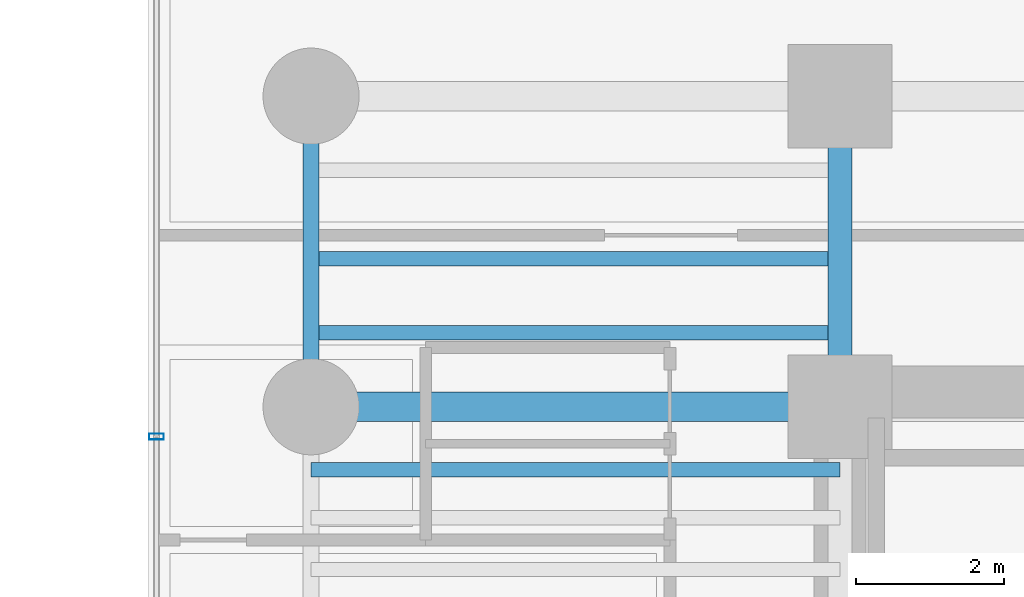
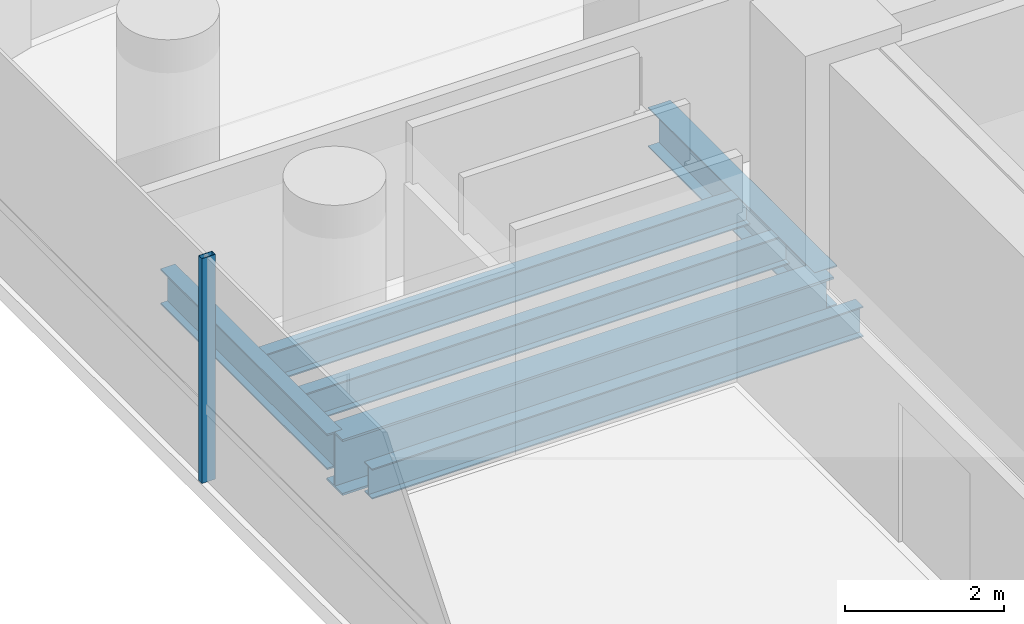
# One storey, part 10 of 40: 6 beams, 1 member, 1 element without a shape of its own.
"""IFC4 building model written with IfcOpenShell, lengths in metres."""

from ifc_helpers import new_model, si_unit, direction, frame, origin, origin_2d, place, context, subcontext, project, spatial, hollow_rectangle, i_section, extrude, source, transform, mapped, material, material_profile, profile_set, type_object, element, aggregate, save


model = new_model("IFC4")

# Units and contexts
model_context = context("Model", 3, precision=1e-05, world=origin(), true_north=direction((0.0, 1.0)))
body_context = subcontext(model_context, "Body", "Model", "MODEL_VIEW")
ifc_project = project(units=[si_unit("LENGTHUNIT", "METRE"), si_unit("AREAUNIT", "SQUARE_METRE"), si_unit("VOLUMEUNIT", "CUBIC_METRE"), si_unit("PLANEANGLEUNIT", "RADIAN"), si_unit("MASSUNIT", "GRAM", prefix="KILO")], contexts=[model_context])

# Site, building, storey
site_placement = place(None, origin())
site = spatial("IfcSite", under=ifc_project, at=site_placement, CompositionType="ELEMENT")
building_placement = place(site_placement, origin())
building = spatial("IfcBuilding", under=site, at=building_placement, Name="Valdorenza Pilgrim Sanctuary Tower", CompositionType="ELEMENT")
storey_placement = place(building_placement, frame((0.0, 0.0, 66.699951171875)))
storey = spatial("IfcBuildingStorey", under=building, at=storey_placement, Name="L16", CompositionType="ELEMENT", Elevation=66.699951171875)

# Beams
ifc_material_1 = material(Name="Steel ASTM A992 Grade 50", Category="steel")
ifc_material_profile_1 = material_profile(ifc_material_1, i_section(OverallWidth=0.214111328125, OverallDepth=0.549072265625, WebThickness=0.0146484375, FlangeThickness=0.023681640625, at=origin_2d()), Name="W21X93")
ifc_profile_set_1 = profile_set([ifc_material_profile_1], Name="Steel ASTM A992 Grade 50")
beam_type_1 = type_object("IfcBeamType", Name="STR-BM-SPN-W21A", PredefinedType="SPANDREL", material=ifc_profile_set_1)
shared_shape_1 = source(origin(), body_context, "Body", "SweptSolid", [
    extrude(i_section(OverallWidth=0.214111328125, OverallDepth=0.549072265625, WebThickness=0.0146484375, FlangeThickness=0.023681640625, at=origin_2d()), origin(), (0.0, 0.0, 1.0), 4.199951171875),
])
beam_1_placement = place(storey_placement, frame((-29.800048828125, 10.60009765625, -0.514404296875), z_axis=(0.0, 1.0, 0.0), x_axis=(-1.0, 0.0, 0.0)))
element("IfcBeam", 1, at=beam_1_placement, inside=storey, type_object=beam_type_1, Name="L16 Spandrel Beam WA-W-N1N2", PredefinedType="SPANDREL", context=body_context, shape_type="MappedRepresentation", body=[
    mapped(shared_shape_1, transform((0.0, 0.0, 0.0), x_axis=(1.0, 0.0, 0.0), y_axis=(0.0, 1.0, 0.0), z_axis=(0.0, 0.0, 1.0), scale=1.0)),
])
ifc_material_profile_2 = material_profile(ifc_material_1, i_section(OverallWidth=0.323974609375, OverallDepth=0.611083984375, WebThickness=0.0126953125, FlangeThickness=0.01904296875, at=origin_2d()), Name="W24X104")
ifc_profile_set_2 = profile_set([ifc_material_profile_2], Name="Steel ASTM A992 Grade 50")
beam_type_2 = type_object("IfcBeamType", Name="STR-BM-GRD-W24B", PredefinedType="BEAM", material=ifc_profile_set_2)
shared_shape_2 = source(origin(), body_context, "Body", "SweptSolid", [
    extrude(i_section(OverallWidth=0.323974609375, OverallDepth=0.611083984375, WebThickness=0.0126953125, FlangeThickness=0.01904296875, at=origin_2d()), origin(), (0.0, 0.0, 1.0), 4.199951171875),
])
beam_2_placement = place(storey_placement, frame((-22.64990234375, 10.60009765625, -0.54541015625), z_axis=(0.0, 1.0, 0.0), x_axis=(-1.0, 0.0, 0.0)))
element("IfcBeam", 2, at=beam_2_placement, inside=storey, type_object=beam_type_2, Name="L16 Core Tie Girder CA-W-N1N2", PredefinedType="BEAM", context=body_context, shape_type="MappedRepresentation", body=[
    mapped(shared_shape_2, transform((0.0, 0.0, 0.0), x_axis=(1.0, 0.0, 0.0), y_axis=(0.0, 1.0, 0.0), z_axis=(0.0, 0.0, 1.0), scale=1.0)),
])
ifc_material_profile_3 = material_profile(ifc_material_1, i_section(OverallWidth=0.193115234375, OverallDepth=0.466064453125, WebThickness=0.011474609375, FlangeThickness=0.01904296875, at=origin_2d()), Name="W18X65")
ifc_profile_set_3 = profile_set([ifc_material_profile_3], Name="Steel ASTM A992 Grade 50")
beam_type_3 = type_object("IfcBeamType", Name="STR-BM-JST-W18A", PredefinedType="JOIST", material=ifc_profile_set_3)
shared_shape_3 = source(origin(), body_context, "Body", "SweptSolid", [
    extrude(i_section(OverallWidth=0.193115234375, OverallDepth=0.466064453125, WebThickness=0.011474609375, FlangeThickness=0.01904296875, at=origin_2d()), origin(), (0.0, 0.0, 1.0), 7.150146484375),
])
for number, where, z_axis, x_axis, name in (
    (3, (-29.800048828125, 9.75, -0.472900390625), (1.0, 0.0, 0.0), (0.0, 1.0, 0.0), "L16 Composite Floor Joist JST-WA-23"),
    (4, (-29.800048828125, 11.60009765625, -0.472900390625), (1.0, 0.0, 0.0), (0.0, 1.0, 0.0), "L16 Composite Floor Joist JST-WA-24"),
    (5, (-29.800048828125, 12.60009765625, -0.472900390625), (1.0, 0.0, 0.0), (0.0, 1.0, 0.0), "L16 Composite Floor Joist JST-WA-25"),
):
    element("IfcBeam", number, at=place(storey_placement, frame(where, z_axis=z_axis, x_axis=x_axis)), inside=storey, type_object=beam_type_3, Name=name, PredefinedType="JOIST", context=body_context, shape_type="MappedRepresentation", body=[
        mapped(shared_shape_3, transform((0.0, 0.0, 0.0), x_axis=(1.0, 0.0, 0.0), y_axis=(0.0, 1.0, 0.0), z_axis=(0.0, 0.0, 1.0), scale=1.0)),
    ])
ifc_material_profile_4 = material_profile(ifc_material_1, i_section(OverallWidth=0.39990234375, OverallDepth=0.862060546875, WebThickness=0.019775390625, FlangeThickness=0.032470703125, at=origin_2d()), Name="W33X221")
ifc_profile_set_4 = profile_set([ifc_material_profile_4], Name="Steel ASTM A992 Grade 50")
beam_type_4 = type_object("IfcBeamType", Name="STR-BM-GRD-W33", PredefinedType="BEAM", material=ifc_profile_set_4)
shared_shape_4 = source(origin(), body_context, "Body", "SweptSolid", [
    extrude(i_section(OverallWidth=0.39990234375, OverallDepth=0.862060546875, WebThickness=0.019775390625, FlangeThickness=0.032470703125, at=origin_2d()), origin(), (0.0, 0.0, 1.0), 7.150146484375),
])
beam_3_placement = place(storey_placement, frame((-29.800048828125, 10.60009765625, -0.6708984375), z_axis=(1.0, 0.0, 0.0), x_axis=(0.0, 1.0, 0.0)))
element("IfcBeam", 6, at=beam_3_placement, inside=storey, type_object=beam_type_4, Name="L16 Floor Girder WA-XW-N1", PredefinedType="BEAM", context=body_context, shape_type="MappedRepresentation", body=[
    mapped(shared_shape_4, transform((0.0, 0.0, 0.0), x_axis=(1.0, 0.0, 0.0), y_axis=(0.0, 1.0, 0.0), z_axis=(0.0, 0.0, 1.0), scale=1.0)),
])

# Curtain wall, member
ifc_material_2 = material(Name="Curtain-wall IGU glazing", Category="glass")
curtain_wall_type = type_object("IfcCurtainWallType", Name="CW-SYS-02", PredefinedType="NOTDEFINED", material=ifc_material_2)
curtain_wall_placement = place(storey_placement, origin())
curtain_wall = element("IfcCurtainWall", 7, at=curtain_wall_placement, inside=storey, type_object=curtain_wall_type, Name="L16 Curtain Wall CW-L16-1-1S2", PredefinedType="NOTDEFINED")
ifc_material_3 = material(Name="Anodised aluminium AW-6060", Category="aluminium")
ifc_material_profile_5 = material_profile(ifc_material_3, hollow_rectangle(XDim=0.0849609375, YDim=0.199951171875, WallThickness=0.0048828125, at=origin_2d()), Name="ALU-M 200x85x5")
ifc_profile_set_5 = profile_set([ifc_material_profile_5], Name="Anodised aluminium AW-6060")
member_type = type_object("IfcMemberType", Name="CW-MUL-02", PredefinedType="MULLION", material=ifc_profile_set_5)
shared_shape_5 = source(origin(), body_context, "Body", "SweptSolid", [
    extrude(hollow_rectangle(XDim=0.0849609375, YDim=0.199951171875, WallThickness=0.0048828125, at=origin_2d()), origin(), (0.0, 0.0, 1.0), 3.4599609375),
])
member_placement = place(storey_placement, frame((-31.889892578125, 10.19580078125, 0.0), z_axis=(0.0, 0.0, 1.0), x_axis=(0.0, 1.0, 0.0)))
member = element("IfcMember", 8, at=member_placement, type_object=member_type, Name="CW-L16-1-1S2 Mullion 3", PredefinedType="MULLION", context=body_context, shape_type="MappedRepresentation", body=[
    mapped(shared_shape_5, transform((0.0, 0.0, 0.0), x_axis=(1.0, 0.0, 0.0), y_axis=(0.0, 1.0, 0.0), z_axis=(0.0, 0.0, 1.0), scale=1.0)),
])
aggregate(curtain_wall, [member])

save(model, "model.ifc")
